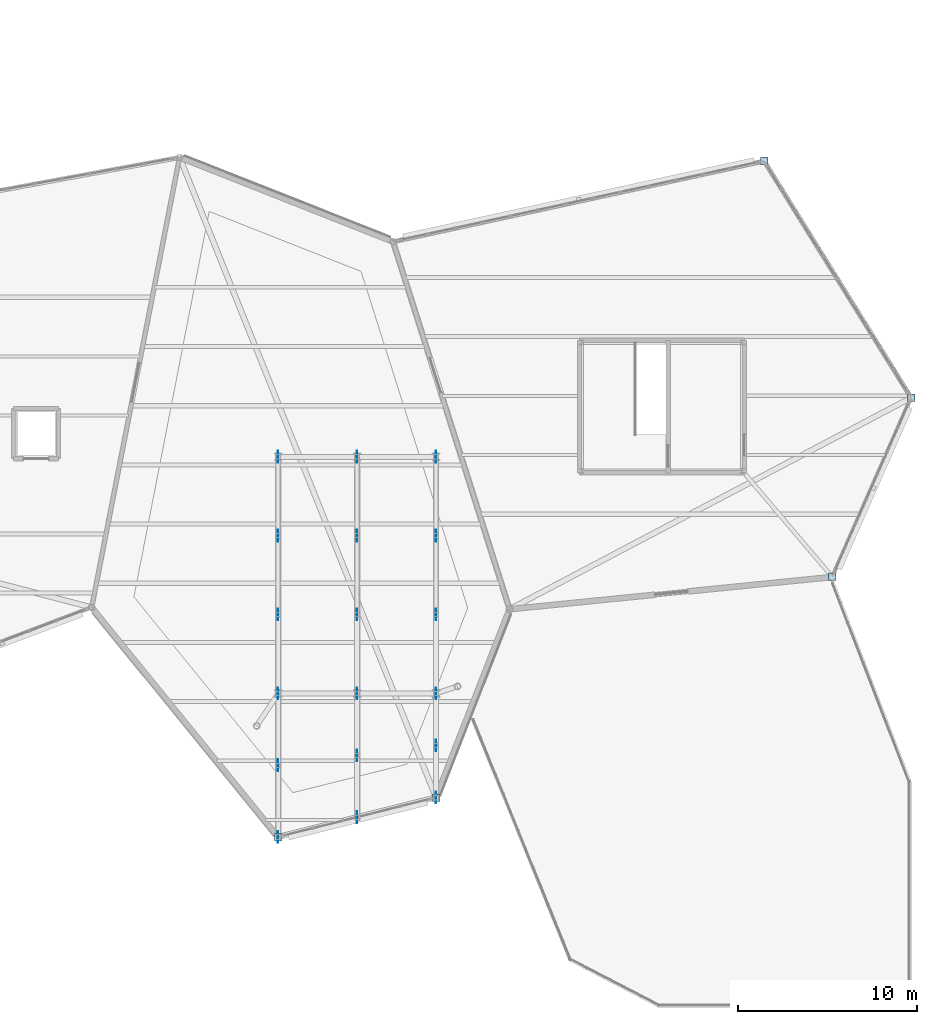
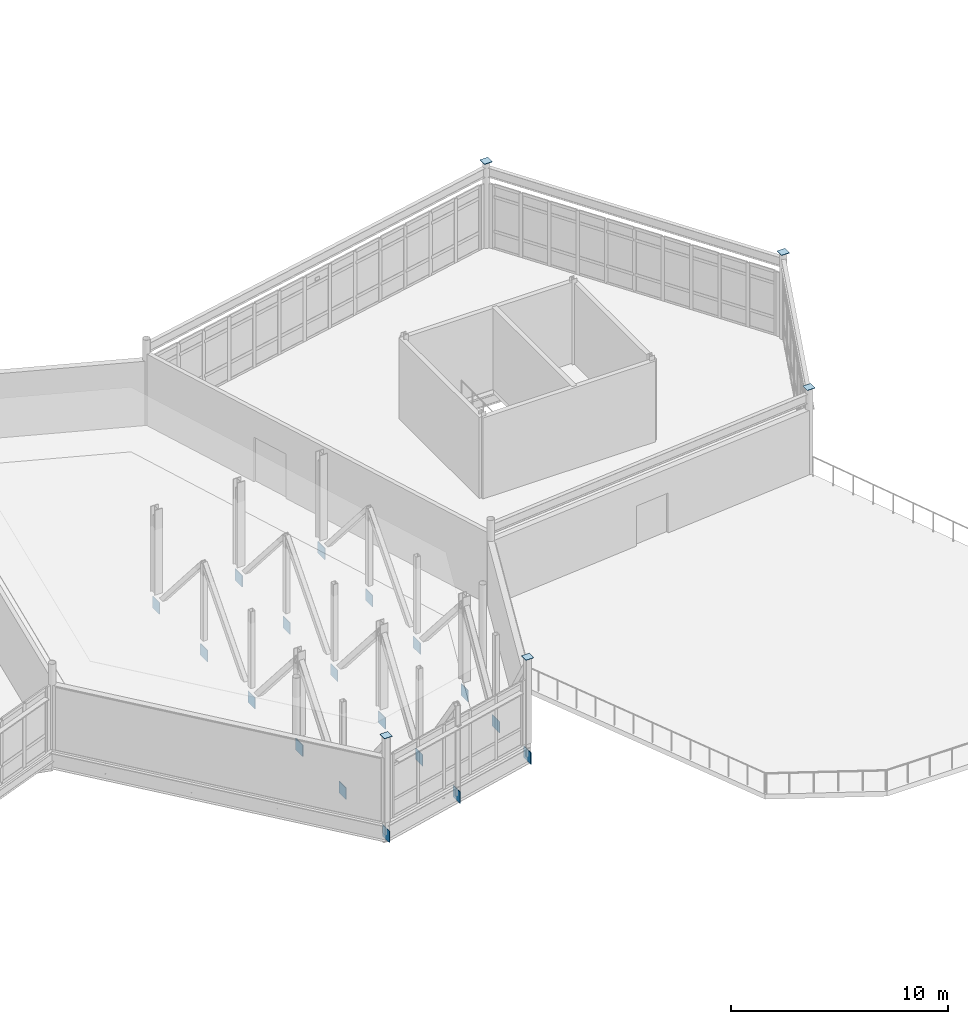
# One storey, part 85 of 114: 23 plates.
"""IFC4 building model written with IfcOpenShell, lengths in metres."""

from ifc_helpers import new_model, si_unit, direction, frame, origin, origin_2d, place, context, subcontext, project, spatial, rectangle, extrude, material, layer, layer_set, type_object, element, save


model = new_model("IFC4")

# Units and contexts
model_context = context("Model", 3, precision=1e-05, world=origin(), true_north=direction((0.0, 1.0)))
body_context = subcontext(model_context, "Body", "Model", "MODEL_VIEW")
ifc_project = project(units=[si_unit("LENGTHUNIT", "METRE"), si_unit("AREAUNIT", "SQUARE_METRE"), si_unit("VOLUMEUNIT", "CUBIC_METRE"), si_unit("PLANEANGLEUNIT", "RADIAN"), si_unit("MASSUNIT", "GRAM", prefix="KILO")], contexts=[model_context])

# Site, building, storey
site_placement = place(None, origin())
site = spatial("IfcSite", under=ifc_project, at=site_placement, CompositionType="ELEMENT")
building_placement = place(site_placement, origin())
building = spatial("IfcBuilding", under=site, at=building_placement, Name="Tameran Prism Museum", CompositionType="ELEMENT")
storey_placement = place(building_placement, frame((0.0, 0.0, 10.199951171875)))
storey = spatial("IfcBuildingStorey", under=building, at=storey_placement, Name="L02", CompositionType="ELEMENT", Elevation=10.199951171875)

# Plates
ifc_material_1 = material(Name="Steel Grade 350 (350 MPa)", Category="steel")
ifc_layer_1 = layer(ifc_material_1, 0.02001953125)
ifc_layer_set_1 = layer_set([ifc_layer_1])
plate_type_1 = type_object("IfcPlateType", Name="PL-GUS-20", PredefinedType="USERDEFINED", material=ifc_layer_set_1)
for number, where, z_axis, x_axis, name in (
    (1, (131.10009765625, 9.5, 4.800048828125), (0.0, 0.0, 1.0), (1.0, 0.0, 0.0), "Hollow Column End Cap Plate CC-CV-53"),
    (2, (139.89990234375, 11.699951171875, 4.800048828125), (0.0, 0.0, 1.0), (1.0, 0.0, 0.0), "Hollow Column End Cap Plate CC-CV-58"),
    (3, (158.199951171875, 47.199951171875, 4.800048828125), (0.0, 0.0, 1.0), (1.0, 0.0, 0.0), "Hollow Column End Cap Plate CC-CV-65"),
    (4, (162.0, 24.0, 4.800048828125), (0.0, 0.0, 1.0), (1.0, 0.0, 0.0), "Hollow Column End Cap Plate CC-CV-66"),
    (5, (166.39990234375, 34.0, 4.800048828125), (0.0, 0.0, 1.0), (1.0, 0.0, 0.0), "Hollow Column End Cap Plate CC-CV-70"),
):
    element("IfcPlate", number, at=place(storey_placement, frame(where, z_axis=z_axis, x_axis=x_axis)), inside=storey, type_object=plate_type_1, Name=name, ObjectType="GUSSET PLATE", PredefinedType="USERDEFINED", context=body_context, shape_type="SweptSolid", body=[
        extrude(rectangle(XDim=0.419921875, YDim=0.419921875, at=origin_2d()), origin(), (0.0, 0.0, 1.0), 0.02001953125),
    ])
ifc_material_2 = material(Name="Steel Grade 350 (350 MPa)", Category="steel")
ifc_layer_2 = layer(ifc_material_2, 0.031982421875)
ifc_layer_set_2 = layer_set([ifc_layer_2])
plate_type_2 = type_object("IfcPlateType", Name="PL-GUS-32", PredefinedType="USERDEFINED", material=ifc_layer_set_2)
for number, where, z_axis, x_axis, name in (
    (6, (131.10009765625, 30.699951171875, -1.044921875), (0.0, 0.0, 1.0), (1.0, 0.0, 0.0), "Transfer Truss Gusset GP-0175"),
    (7, (131.10009765625, 26.300048828125, -1.044921875), (0.0, 0.0, 1.0), (1.0, 0.0, 0.0), "Transfer Truss Gusset GP-0177"),
    (8, (131.10009765625, 21.89990234375, -1.044921875), (0.0, 0.0, 1.0), (1.0, 0.0, 0.0), "Transfer Truss Gusset GP-0179"),
    (9, (131.10009765625, 17.5, -1.044921875), (0.0, 0.0, 1.0), (1.0, 0.0, 0.0), "Transfer Truss Gusset GP-0181"),
    (10, (131.10009765625, 13.5, -1.044921875), (0.0, 0.0, 1.0), (1.0, 0.0, 0.0), "Transfer Truss Gusset GP-0183"),
    (11, (131.10009765625, 9.5, -1.044921875), (0.0, 0.0, 1.0), (1.0, 0.0, 0.0), "Transfer Truss Gusset GP-0185"),
    (12, (135.5, 30.699951171875, -1.044921875), (0.0, 0.0, 1.0), (1.0, 0.0, 0.0), "Transfer Truss Gusset GP-0187"),
    (13, (135.5, 26.300048828125, -1.044921875), (0.0, 0.0, 1.0), (1.0, 0.0, 0.0), "Transfer Truss Gusset GP-0189"),
    (14, (135.5, 21.89990234375, -1.044921875), (0.0, 0.0, 1.0), (1.0, 0.0, 0.0), "Transfer Truss Gusset GP-0191"),
    (15, (135.5, 17.5, -1.044921875), (0.0, 0.0, 1.0), (1.0, 0.0, 0.0), "Transfer Truss Gusset GP-0193"),
    (16, (135.5, 14.050048828125, -1.044921875), (0.0, 0.0, 1.0), (1.0, 0.0, 0.0), "Transfer Truss Gusset GP-0195"),
    (17, (135.5, 10.60009765625, -1.044921875), (0.0, 0.0, 1.0), (1.0, 0.0, 0.0), "Transfer Truss Gusset GP-0197"),
    (18, (139.89990234375, 30.699951171875, -1.044921875), (0.0, 0.0, 1.0), (1.0, 0.0, 0.0), "Transfer Truss Gusset GP-0199"),
    (19, (139.89990234375, 26.300048828125, -1.044921875), (0.0, 0.0, 1.0), (1.0, 0.0, 0.0), "Transfer Truss Gusset GP-0201"),
    (20, (139.89990234375, 21.89990234375, -1.044921875), (0.0, 0.0, 1.0), (1.0, 0.0, 0.0), "Transfer Truss Gusset GP-0203"),
    (21, (139.89990234375, 17.5, -1.044921875), (0.0, 0.0, 1.0), (1.0, 0.0, 0.0), "Transfer Truss Gusset GP-0205"),
    (22, (139.89990234375, 14.60009765625, -1.044921875), (0.0, 0.0, 1.0), (1.0, 0.0, 0.0), "Transfer Truss Gusset GP-0207"),
    (23, (139.89990234375, 11.699951171875, -1.044921875), (0.0, 0.0, 1.0), (1.0, 0.0, 0.0), "Transfer Truss Gusset GP-0209"),
):
    element("IfcPlate", number, at=place(storey_placement, frame(where, z_axis=z_axis, x_axis=x_axis)), inside=storey, type_object=plate_type_2, Name=name, ObjectType="GUSSET PLATE", PredefinedType="USERDEFINED", context=body_context, shape_type="SweptSolid", body=[
        extrude(rectangle(XDim=0.031982421875, YDim=0.64990234375, at=origin_2d()), origin(), (0.0, 0.0, 1.0), 0.64990234375),
    ])

save(model, "model.ifc")
